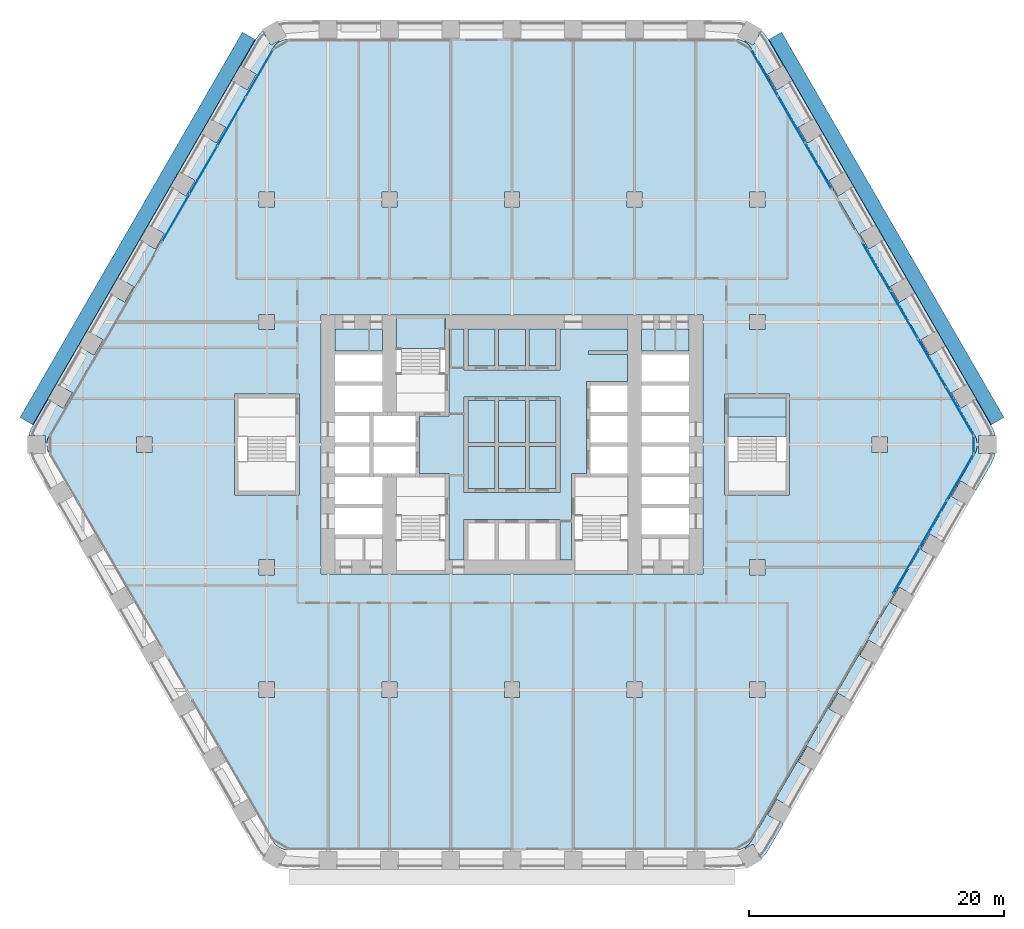
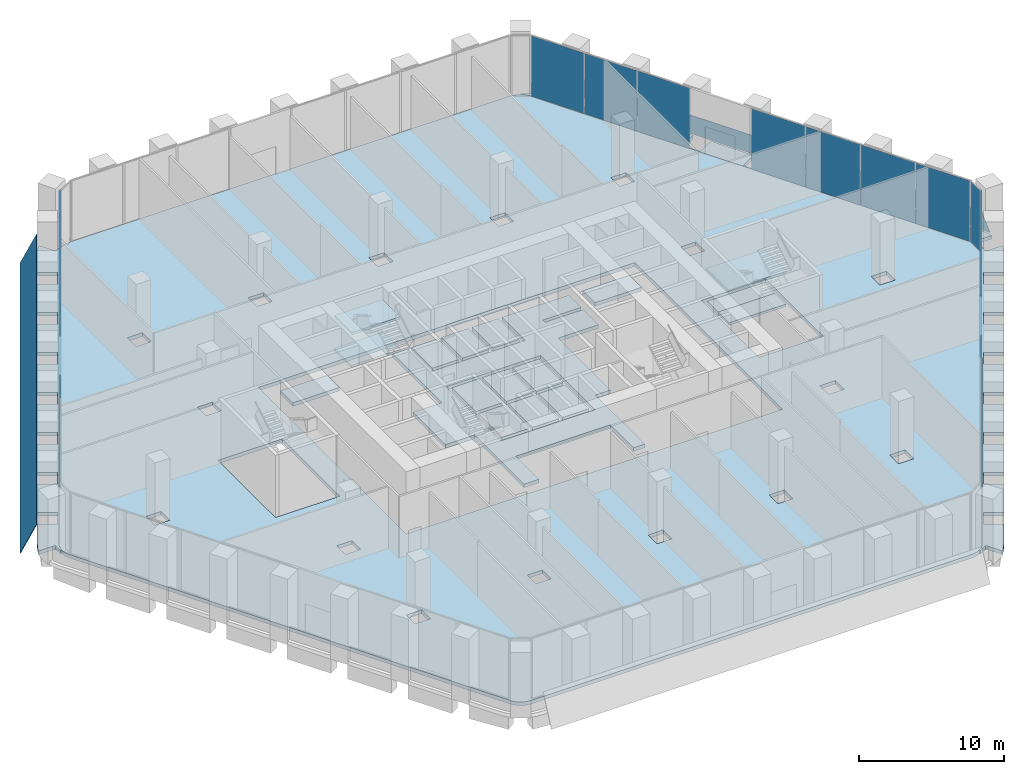
# One storey, part 16 of 27: 21 slabs, 17 plates, 7 elements without a shape of their own.
"""IFC4 building model written with IfcOpenShell, lengths in metres."""

from ifc_helpers import new_model, si_unit, direction, frame, origin, origin_2d, place, context, subcontext, project, spatial, polyline, rectangle, outline, extrude, material, layer, layer_set, type_object, element, aggregate, save


model = new_model("IFC4")

# Units and contexts
model_context = context("Model", 3, precision=1e-05, world=origin(), true_north=direction((0.0, 1.0)))
body_context = subcontext(model_context, "Body", "Model", "MODEL_VIEW")
ifc_project = project(units=[si_unit("LENGTHUNIT", "METRE"), si_unit("AREAUNIT", "SQUARE_METRE"), si_unit("VOLUMEUNIT", "CUBIC_METRE"), si_unit("PLANEANGLEUNIT", "RADIAN"), si_unit("MASSUNIT", "GRAM", prefix="KILO")], contexts=[model_context])

# Site, building, storey
site_placement = place(None, origin())
site = spatial("IfcSite", under=ifc_project, at=site_placement, CompositionType="ELEMENT")
building_placement = place(site_placement, origin())
building = spatial("IfcBuilding", under=site, at=building_placement, Name="Kolab Exchange Tower", CompositionType="ELEMENT")
storey_placement = place(building_placement, frame((0.0, 0.0, 66.39990234375)))
storey = spatial("IfcBuildingStorey", under=building, at=storey_placement, Name="L12", CompositionType="ELEMENT", Elevation=66.39990234375)

# Slabs
ifc_material_1 = material(Name="Concrete C35/45", Category="concrete")
ifc_layer_1 = layer(ifc_material_1, 0.300048828125)
ifc_layer_set_1 = layer_set([ifc_layer_1], Name="Concrete C35/45")
slab_type_1 = type_object("IfcSlabType", Name="FLOOR SLAB 300", PredefinedType="FLOOR", material=ifc_layer_set_1)
slab_1_placement = place(storey_placement, frame((0.0, 0.0, -0.2998046875)))
element("IfcSlab", 1, at=slab_1_placement, inside=storey, type_object=slab_type_1, Name="slab/L12/floor/0", PredefinedType="FLOOR", context=body_context, shape_type="SweptSolid", body=[
    extrude(outline(polyline([(18.76708984375, -31.00537109375), (36.23486328125, -0.75), (36.345458984375, -0.512939453125), (36.4130859375, -0.260498046875), (36.435791015625, 0.0), (36.4130859375, 0.260498046875), (36.345458984375, 0.512939453125), (36.23486328125, 0.75), (18.76708984375, 31.00537109375), (18.616943359375, 31.219482421875), (18.43212890625, 31.404541015625), (18.218017578125, 31.554443359375), (17.98095703125, 31.664794921875), (17.728515625, 31.732666015625), (17.468017578125, 31.75537109375), (-17.468017578125, 31.75537109375), (-17.728515625, 31.732666015625), (-17.98095703125, 31.664794921875), (-18.218017578125, 31.554443359375), (-18.43212890625, 31.404541015625), (-18.616943359375, 31.219482421875), (-18.76708984375, 31.00537109375), (-36.23486328125, 0.75), (-36.345458984375, 0.512939453125), (-36.4130859375, 0.260498046875), (-36.435791015625, 0.0), (-36.4130859375, -0.260498046875), (-36.345458984375, -0.512939453125), (-36.23486328125, -0.75), (-18.76708984375, -31.00537109375), (-18.616943359375, -31.219482421875), (-18.43212890625, -31.404541015625), (-18.218017578125, -31.554443359375), (-17.98095703125, -31.664794921875), (-17.728515625, -31.732666015625), (-17.468017578125, -31.75537109375), (17.468017578125, -31.75537109375), (17.728515625, -31.732666015625), (17.98095703125, -31.664794921875), (18.218017578125, -31.554443359375), (18.43212890625, -31.404541015625), (18.616943359375, -31.219482421875), (18.76708984375, -31.00537109375)]), holes=[polyline([(-19.800048828125, -18.60009765625), (-18.60009765625, -18.60009765625), (-18.60009765625, -19.800048828125), (-19.800048828125, -19.800048828125), (-19.800048828125, -18.60009765625)]), polyline([(-18.60009765625, -9.0), (-18.60009765625, -10.199951171875), (-19.800048828125, -10.199951171875), (-19.800048828125, -9.0), (-18.60009765625, -9.0)]), polyline([(-21.75, -3.949951171875), (-21.75, 3.949951171875), (-21.449951171875, 3.949951171875), (-16.949951171875, 3.949951171875), (-16.64990234375, 3.949951171875), (-16.64990234375, -3.949951171875), (-16.949951171875, -3.949951171875), (-21.449951171875, -3.949951171875), (-21.75, -3.949951171875)]), polyline([(-14.949951171875, 10.14990234375), (-13.85009765625, 10.14990234375), (-10.14990234375, 10.14990234375), (-9.050048828125, 10.14990234375), (-5.25, 10.14990234375), (9.050048828125, 10.14990234375), (10.14990234375, 10.14990234375), (13.85009765625, 10.14990234375), (14.949951171875, 10.14990234375), (14.949951171875, -10.14990234375), (13.85009765625, -10.14990234375), (10.14990234375, -10.14990234375), (9.050048828125, -10.14990234375), (4.949951171875, -10.14990234375), (-5.25, -10.14990234375), (-9.050048828125, -10.14990234375), (-10.14990234375, -10.14990234375), (-13.85009765625, -10.14990234375), (-14.949951171875, -10.14990234375), (-14.949951171875, 10.14990234375)]), polyline([(-28.199951171875, 0.60009765625), (-28.199951171875, -0.60009765625), (-29.39990234375, -0.60009765625), (-29.39990234375, 0.60009765625), (-28.199951171875, 0.60009765625)]), polyline([(-18.60009765625, 10.199951171875), (-18.60009765625, 9.0), (-19.800048828125, 9.0), (-19.800048828125, 10.199951171875), (-18.60009765625, 10.199951171875)]), polyline([(-19.800048828125, 19.800048828125), (-18.60009765625, 19.800048828125), (-18.60009765625, 18.60009765625), (-19.800048828125, 18.60009765625), (-19.800048828125, 19.800048828125)]), polyline([(-9.0, -18.60009765625), (-9.0, -19.800048828125), (-10.199951171875, -19.800048828125), (-10.199951171875, -18.60009765625), (-9.0, -18.60009765625)]), polyline([(-9.0, 19.800048828125), (-9.0, 18.60009765625), (-10.199951171875, 18.60009765625), (-10.199951171875, 19.800048828125), (-9.0, 19.800048828125)]), polyline([(0.60009765625, -18.60009765625), (0.60009765625, -19.800048828125), (-0.60009765625, -19.800048828125), (-0.60009765625, -18.60009765625), (0.60009765625, -18.60009765625)]), polyline([(0.60009765625, 19.800048828125), (0.60009765625, 18.60009765625), (-0.60009765625, 18.60009765625), (-0.60009765625, 19.800048828125), (0.60009765625, 19.800048828125)]), polyline([(10.199951171875, -18.60009765625), (10.199951171875, -19.800048828125), (9.0, -19.800048828125), (9.0, -18.60009765625), (10.199951171875, -18.60009765625)]), polyline([(9.0, 19.800048828125), (10.199951171875, 19.800048828125), (10.199951171875, 18.60009765625), (9.0, 18.60009765625), (9.0, 19.800048828125)]), polyline([(19.800048828125, -18.60009765625), (19.800048828125, -19.800048828125), (18.60009765625, -19.800048828125), (18.60009765625, -18.60009765625), (19.800048828125, -18.60009765625)]), polyline([(19.800048828125, -9.0), (19.800048828125, -10.199951171875), (18.60009765625, -10.199951171875), (18.60009765625, -9.0), (19.800048828125, -9.0)]), polyline([(16.949951171875, -3.949951171875), (16.64990234375, -3.949951171875), (16.64990234375, 3.949951171875), (16.949951171875, 3.949951171875), (21.449951171875, 3.949951171875), (21.75, 3.949951171875), (21.75, -3.949951171875), (21.449951171875, -3.949951171875), (16.949951171875, -3.949951171875)]), polyline([(29.39990234375, 0.60009765625), (29.39990234375, -0.60009765625), (28.199951171875, -0.60009765625), (28.199951171875, 0.60009765625), (29.39990234375, 0.60009765625)]), polyline([(18.60009765625, 10.199951171875), (19.800048828125, 10.199951171875), (19.800048828125, 9.0), (18.60009765625, 9.0), (18.60009765625, 10.199951171875)]), polyline([(18.60009765625, 19.800048828125), (19.800048828125, 19.800048828125), (19.800048828125, 18.60009765625), (18.60009765625, 18.60009765625), (18.60009765625, 19.800048828125)])]), origin(), (0.0, 0.0, 1.0), 0.2998046875),
])
slab_2_placement = place(storey_placement, frame((0.0, 0.0, -0.2998046875)))
element("IfcSlab", 2, at=slab_2_placement, inside=storey, type_object=slab_type_1, Name="slab/L12/floor/1", PredefinedType="FLOOR", context=body_context, shape_type="SweptSolid", body=[
    extrude(outline(polyline([(-5.25, 2.25), (-7.25, 2.25), (-7.25, -2.25), (-5.25, -2.25), (-4.949951171875, -2.25), (-4.949951171875, -9.050048828125), (-3.75, -9.050048828125), (-3.75, -5.85009765625), (-3.449951171875, -5.85009765625), (-1.35009765625, -5.85009765625), (-1.050048828125, -5.85009765625), (1.050048828125, -5.85009765625), (1.35009765625, -5.85009765625), (3.449951171875, -5.85009765625), (3.75, -5.85009765625), (3.75, -9.050048828125), (4.64990234375, -9.050048828125), (4.64990234375, -2.25), (4.949951171875, -2.25), (5.85009765625, -2.25), (5.85009765625, 4.949951171875), (6.14990234375, 4.949951171875), (9.050048828125, 4.949951171875), (9.050048828125, 7.050048828125), (6.0, 7.050048828125), (6.0, 7.35009765625), (9.050048828125, 7.35009765625), (9.050048828125, 9.050048828125), (3.75, 9.050048828125), (3.75, 5.85009765625), (3.449951171875, 5.85009765625), (1.35009765625, 5.85009765625), (1.050048828125, 5.85009765625), (-1.050048828125, 5.85009765625), (-1.35009765625, 5.85009765625), (-3.449951171875, 5.85009765625), (-3.75, 5.85009765625), (-3.75, 9.050048828125), (-4.949951171875, 9.050048828125), (-4.949951171875, 2.25), (-5.25, 2.25)]), holes=[polyline([(-1.35009765625, 3.75), (-1.050048828125, 3.75), (1.050048828125, 3.75), (1.35009765625, 3.75), (3.449951171875, 3.75), (3.75, 3.75), (3.75, -3.75), (3.449951171875, -3.75), (1.35009765625, -3.75), (1.050048828125, -3.75), (-1.050048828125, -3.75), (-1.35009765625, -3.75), (-3.449951171875, -3.75), (-3.75, -3.75), (-3.75, 3.75), (-3.449951171875, 3.75), (-1.35009765625, 3.75)])]), origin(), (0.0, 0.0, 1.0), 0.2998046875),
])
slab_3_placement = place(storey_placement, frame((0.0, 0.0, -0.2998046875)))
element("IfcSlab", 3, at=slab_3_placement, inside=storey, type_object=slab_type_1, Name="slab/L12/floor/2", PredefinedType="FLOOR", context=body_context, shape_type="SweptSolid", body=[
    extrude(outline(polyline([(-3.449951171875, -3.449951171875), (-1.35009765625, -3.449951171875), (-1.35009765625, -0.14990234375), (-3.449951171875, -0.14990234375), (-3.449951171875, -3.449951171875)])), origin(), (0.0, 0.0, 1.0), 0.2998046875),
])
slab_4_placement = place(storey_placement, frame((0.0, 0.0, -0.2998046875)))
element("IfcSlab", 4, at=slab_4_placement, inside=storey, type_object=slab_type_1, Name="slab/L12/floor/3", PredefinedType="FLOOR", context=body_context, shape_type="SweptSolid", body=[
    extrude(outline(polyline([(-1.35009765625, 0.14990234375), (-1.35009765625, 3.449951171875), (-3.449951171875, 3.449951171875), (-3.449951171875, 0.14990234375), (-1.35009765625, 0.14990234375)])), origin(), (0.0, 0.0, 1.0), 0.2998046875),
])
slab_5_placement = place(storey_placement, frame((0.0, 0.0, -0.2998046875)))
element("IfcSlab", 5, at=slab_5_placement, inside=storey, type_object=slab_type_1, Name="slab/L12/floor/4", PredefinedType="FLOOR", context=body_context, shape_type="SweptSolid", body=[
    extrude(outline(polyline([(-1.050048828125, -0.14990234375), (-1.050048828125, -3.449951171875), (1.050048828125, -3.449951171875), (1.050048828125, -0.14990234375), (-1.050048828125, -0.14990234375)])), origin(), (0.0, 0.0, 1.0), 0.2998046875),
])
slab_6_placement = place(storey_placement, frame((0.0, 0.0, -0.2998046875)))
element("IfcSlab", 6, at=slab_6_placement, inside=storey, type_object=slab_type_1, Name="slab/L12/floor/5", PredefinedType="FLOOR", context=body_context, shape_type="SweptSolid", body=[
    extrude(outline(polyline([(-1.050048828125, 3.449951171875), (-1.050048828125, 0.14990234375), (1.050048828125, 0.14990234375), (1.050048828125, 3.449951171875), (-1.050048828125, 3.449951171875)])), origin(), (0.0, 0.0, 1.0), 0.2998046875),
])
slab_7_placement = place(storey_placement, frame((0.0, 0.0, -0.2998046875)))
element("IfcSlab", 7, at=slab_7_placement, inside=storey, type_object=slab_type_1, Name="slab/L12/floor/6", PredefinedType="FLOOR", context=body_context, shape_type="SweptSolid", body=[
    extrude(outline(polyline([(1.35009765625, -3.449951171875), (3.449951171875, -3.449951171875), (3.449951171875, -0.14990234375), (1.35009765625, -0.14990234375), (1.35009765625, -3.449951171875)])), origin(), (0.0, 0.0, 1.0), 0.2998046875),
])
slab_8_placement = place(storey_placement, frame((0.0, 0.0, -0.2998046875)))
element("IfcSlab", 8, at=slab_8_placement, inside=storey, type_object=slab_type_1, Name="slab/L12/floor/7", PredefinedType="FLOOR", context=body_context, shape_type="SweptSolid", body=[
    extrude(outline(polyline([(1.35009765625, 0.14990234375), (3.449951171875, 0.14990234375), (3.449951171875, 3.449951171875), (1.35009765625, 3.449951171875), (1.35009765625, 0.14990234375)])), origin(), (0.0, 0.0, 1.0), 0.2998046875),
])
slab_9_placement = place(storey_placement, frame((0.0, 0.0, -0.2998046875)))
element("IfcSlab", 9, at=slab_9_placement, inside=storey, type_object=slab_type_1, Name="slab/L12/floor/9", PredefinedType="FLOOR", context=body_context, shape_type="SweptSolid", body=[
    extrude(outline(polyline([(21.449951171875, 3.64990234375), (16.949951171875, 3.64990234375), (16.949951171875, 2.14990234375), (21.449951171875, 2.14990234375), (21.449951171875, 3.64990234375)])), origin(), (0.0, 0.0, 1.0), 0.2998046875),
])
slab_10_placement = place(storey_placement, frame((0.0, 0.0, -0.2998046875)))
element("IfcSlab", 10, at=slab_10_placement, inside=storey, type_object=slab_type_1, Name="slab/L12/floor/11", PredefinedType="FLOOR", context=body_context, shape_type="SweptSolid", body=[
    extrude(outline(polyline([(-13.85009765625, 7.35009765625), (-10.14990234375, 7.35009765625), (-10.14990234375, 9.050048828125), (-13.85009765625, 9.050048828125), (-13.85009765625, 7.35009765625)])), origin(), (0.0, 0.0, 1.0), 0.2998046875),
])
slab_11_placement = place(storey_placement, frame((0.0, 0.0, -0.2998046875)))
element("IfcSlab", 11, at=slab_11_placement, inside=storey, type_object=slab_type_1, Name="slab/L12/floor/13", PredefinedType="FLOOR", context=body_context, shape_type="SweptSolid", body=[
    extrude(outline(polyline([(10.14990234375, 7.35009765625), (13.85009765625, 7.35009765625), (13.85009765625, 9.050048828125), (10.14990234375, 9.050048828125), (10.14990234375, 7.35009765625)])), origin(), (0.0, 0.0, 1.0), 0.2998046875),
])
slab_12_placement = place(storey_placement, frame((0.0, 0.0, -0.2998046875)))
element("IfcSlab", 12, at=slab_12_placement, inside=storey, type_object=slab_type_1, Name="slab/L12/floor/16", PredefinedType="FLOOR", context=body_context, shape_type="SweptSolid", body=[
    extrude(outline(polyline([(-1.050048828125, 9.050048828125), (-1.050048828125, 6.14990234375), (1.050048828125, 6.14990234375), (1.050048828125, 9.050048828125), (-1.050048828125, 9.050048828125)])), origin(), (0.0, 0.0, 1.0), 0.2998046875),
])
slab_13_placement = place(storey_placement, frame((0.0, 0.0, -0.2998046875)))
element("IfcSlab", 13, at=slab_13_placement, inside=storey, type_object=slab_type_1, Name="slab/L12/floor/18", PredefinedType="FLOOR", context=body_context, shape_type="SweptSolid", body=[
    extrude(outline(polyline([(-1.35009765625, 6.14990234375), (-1.35009765625, 9.050048828125), (-3.449951171875, 9.050048828125), (-3.449951171875, 6.14990234375), (-1.35009765625, 6.14990234375)])), origin(), (0.0, 0.0, 1.0), 0.2998046875),
])
slab_14_placement = place(storey_placement, frame((0.0, 0.0, -0.2998046875)))
element("IfcSlab", 14, at=slab_14_placement, inside=storey, type_object=slab_type_1, Name="slab/L12/floor/20", PredefinedType="FLOOR", context=body_context, shape_type="SweptSolid", body=[
    extrude(outline(polyline([(1.35009765625, 6.14990234375), (3.449951171875, 6.14990234375), (3.449951171875, 9.050048828125), (1.35009765625, 9.050048828125), (1.35009765625, 6.14990234375)])), origin(), (0.0, 0.0, 1.0), 0.2998046875),
])
ifc_layer_2 = layer(ifc_material_1, 0.300048828125)
ifc_layer_set_2 = layer_set([ifc_layer_2], Name="Concrete C35/45")
slab_type_2 = type_object("IfcSlabType", Name="LOGGIA SLAB 300", PredefinedType="FLOOR", material=ifc_layer_set_2)
slab_15_placement = place(storey_placement, frame((0.0, 0.0, -0.2998046875)))
element("IfcSlab", 15, at=slab_15_placement, inside=storey, type_object=slab_type_2, Name="slab/L12/loggia/1-0", PredefinedType="FLOOR", context=body_context, shape_type="SweptSolid", body=[
    extrude(outline(polyline([(36.435791015625, 0.0), (36.535888671875, 0.0), (36.535888671875, 0.699951171875), (37.84228515625, 0.699951171875), (37.7548828125, 1.026123046875), (37.533935546875, 1.5), (36.35009765625, 3.55078125), (35.137451171875, 2.8505859375), (34.4375, 4.063232421875), (35.64990234375, 4.76318359375), (33.949951171875, 7.70751953125), (32.737548828125, 7.007568359375), (32.03759765625, 8.219970703125), (33.25, 8.920166015625), (31.550048828125, 11.864501953125), (30.337646484375, 11.16455078125), (29.637451171875, 12.376953125), (30.85009765625, 13.076904296875), (29.14990234375, 16.021484375), (27.9375, 15.321533203125), (27.237548828125, 16.533935546875), (28.449951171875, 17.23388671875), (26.75, 20.178466796875), (25.53759765625, 19.478271484375), (24.837646484375, 20.69091796875), (26.050048828125, 21.390869140625), (24.35009765625, 24.335205078125), (23.137451171875, 23.63525390625), (22.4375, 24.84765625), (23.64990234375, 25.5478515625), (21.949951171875, 28.4921875), (20.737548828125, 27.792236328125), (20.03759765625, 29.004638671875), (21.25, 29.70458984375), (20.06591796875, 31.75537109375), (19.76611328125, 32.183837890625), (19.52734375, 32.42236328125), (18.874267578125, 31.291015625), (18.26806640625, 31.64111328125), (18.218017578125, 31.554443359375), (18.43212890625, 31.404541015625), (18.616943359375, 31.219482421875), (18.76708984375, 31.00537109375), (36.23486328125, 0.75), (36.345458984375, 0.512939453125), (36.4130859375, 0.260498046875), (36.435791015625, 0.0)])), origin(), (0.0, 0.0, 1.0), 0.2998046875),
])
slab_16_placement = place(storey_placement, frame((0.0, 0.0, -0.2998046875)))
element("IfcSlab", 16, at=slab_16_placement, inside=storey, type_object=slab_type_2, Name="slab/L12/loggia/2-0", PredefinedType="FLOOR", context=body_context, shape_type="SweptSolid", body=[
    extrude(outline(polyline([(20.06591796875, -31.75537109375), (21.25, -29.70458984375), (20.03759765625, -29.004638671875), (20.737548828125, -27.792236328125), (21.949951171875, -28.4921875), (23.64990234375, -25.5478515625), (22.4375, -24.84765625), (23.137451171875, -23.63525390625), (24.35009765625, -24.335205078125), (26.050048828125, -21.390869140625), (24.837646484375, -20.69091796875), (25.53759765625, -19.478271484375), (26.75, -20.178466796875), (28.449951171875, -17.23388671875), (27.237548828125, -16.533935546875), (27.9375, -15.321533203125), (29.14990234375, -16.021484375), (30.85009765625, -13.076904296875), (29.637451171875, -12.376953125), (30.337646484375, -11.16455078125), (31.550048828125, -11.864501953125), (33.25, -8.920166015625), (32.03759765625, -8.219970703125), (32.737548828125, -7.007568359375), (33.949951171875, -7.70751953125), (35.64990234375, -4.76318359375), (34.4375, -4.063232421875), (35.137451171875, -2.8505859375), (36.35009765625, -3.55078125), (37.533935546875, -1.5), (37.7548828125, -1.026123046875), (37.84228515625, -0.699951171875), (36.535888671875, -0.699951171875), (36.535888671875, 0.0), (36.435791015625, 0.0), (36.4130859375, -0.260498046875), (36.345458984375, -0.512939453125), (36.23486328125, -0.75), (18.76708984375, -31.00537109375), (18.616943359375, -31.219482421875), (18.43212890625, -31.404541015625), (18.218017578125, -31.554443359375), (18.26806640625, -31.64111328125), (18.874267578125, -31.291015625), (19.52734375, -32.42236328125), (19.76611328125, -32.183837890625), (20.06591796875, -31.75537109375)])), origin(), (0.0, 0.0, 1.0), 0.2998046875),
])
slab_17_placement = place(storey_placement, frame((0.0, 0.0, -0.2998046875)))
element("IfcSlab", 17, at=slab_17_placement, inside=storey, type_object=slab_type_2, Name="slab/L12/loggia/5-0", PredefinedType="FLOOR", context=body_context, shape_type="SweptSolid", body=[
    extrude(outline(polyline([(-18.218017578125, 31.554443359375), (-18.26806640625, 31.64111328125), (-18.874267578125, 31.291015625), (-19.52734375, 32.42236328125), (-19.76611328125, 32.183837890625), (-20.06591796875, 31.75537109375), (-21.25, 29.70458984375), (-20.03759765625, 29.004638671875), (-20.737548828125, 27.792236328125), (-21.949951171875, 28.4921875), (-23.64990234375, 25.5478515625), (-22.4375, 24.84765625), (-23.137451171875, 23.63525390625), (-24.35009765625, 24.335205078125), (-26.050048828125, 21.390869140625), (-24.837646484375, 20.69091796875), (-25.53759765625, 19.478271484375), (-26.75, 20.178466796875), (-28.449951171875, 17.23388671875), (-27.237548828125, 16.533935546875), (-27.9375, 15.321533203125), (-29.14990234375, 16.021484375), (-30.85009765625, 13.076904296875), (-29.637451171875, 12.376953125), (-30.337646484375, 11.16455078125), (-31.550048828125, 11.864501953125), (-33.25, 8.920166015625), (-32.03759765625, 8.219970703125), (-32.737548828125, 7.007568359375), (-33.949951171875, 7.70751953125), (-35.64990234375, 4.76318359375), (-34.4375, 4.063232421875), (-35.137451171875, 2.8505859375), (-36.35009765625, 3.55078125), (-37.533935546875, 1.5), (-37.7548828125, 1.026123046875), (-37.84228515625, 0.699951171875), (-36.535888671875, 0.699951171875), (-36.535888671875, 0.0), (-36.435791015625, 0.0), (-36.4130859375, 0.260498046875), (-36.345458984375, 0.512939453125), (-36.23486328125, 0.75), (-18.76708984375, 31.00537109375), (-18.616943359375, 31.219482421875), (-18.43212890625, 31.404541015625), (-18.218017578125, 31.554443359375)])), origin(), (0.0, 0.0, 1.0), 0.2998046875),
])

# Plates
ifc_material_2 = material(Name="Laminated glass, clear", Category="glass")
ifc_layer_3 = layer(ifc_material_2, 0.0400390625)
ifc_layer_set_3 = layer_set([ifc_layer_3], Name="Laminated glass, clear")
plate_type_1 = type_object("IfcPlateType", Name="OUTER SKIN LAMINATED GLASS SHEET 40", PredefinedType="SHEET", material=ifc_layer_set_3)
plate_1_placement = place(storey_placement, frame((21.11279296875, 32.302001953125, -0.8330078125), z_axis=(0.784872769673, 0.453148092024, 0.422648248689), x_axis=(0.500001313459, -0.866024645457, 0.0)))
element("IfcPlate", 18, at=plate_1_placement, inside=storey, type_object=plate_type_1, Name="Outer skin", PredefinedType="SHEET", context=body_context, shape_type="SweptSolid", body=[
    extrude(outline(polyline([(0.0, 0.0), (34.83584598906518, 0.0), (34.83577870170086, -2.7059575705201855), (-6.728736431932392e-05, -2.705957570520185), (0.0, 0.0)])), origin(), (0.0, 0.0, -1.0), 0.0400390625),
])
plate_2_placement = place(storey_placement, frame((-38.53076171875, 2.13330078125, -0.8330078125), z_axis=(-0.784872769673, 0.453148092024, 0.422648248689), x_axis=(0.500001313459, 0.866024645457, 0.0)))
element("IfcPlate", 19, at=plate_2_placement, inside=storey, type_object=plate_type_1, Name="Outer skin", PredefinedType="SHEET", context=body_context, shape_type="SweptSolid", body=[
    extrude(outline(polyline([(0.0, 0.0), (34.83584598906518, 0.0), (34.8359132764295, -2.7059575705201846), (6.728736431932392e-05, -2.705957570520185), (0.0, 0.0)])), origin(), (0.0, 0.0, -1.0), 0.0400390625),
])

# Stair, slabs
ifc_material_3 = material(Name="Concrete C50/60", Category="concrete")
stair_type_1 = type_object("IfcStairType", Name="STAIR ST1 RISER 171.9", PredefinedType="DOUBLE_RETURN_STAIR", material=ifc_material_3)
stair_1_placement = place(storey_placement, origin())
stair_1 = element("IfcStair", 20, at=stair_1_placement, inside=storey, type_object=stair_type_1, Name="Stair 1", PredefinedType="DOUBLE_RETURN_STAIR")
ifc_layer_4 = layer(ifc_material_3, 0.199951171875)
ifc_layer_set_4 = layer_set([ifc_layer_4], Name="Concrete C50/60")
slab_type_3 = type_object("IfcSlabType", Name="STAIR LANDING 200", PredefinedType="LANDING", material=ifc_layer_set_4)
slab_18_placement = place(storey_placement, frame((0.0, 0.0, 1.175048828125)))
slab_18 = element("IfcSlab", 21, at=slab_18_placement, type_object=slab_type_3, Name="ST1 landing 2", PredefinedType="LANDING", context=body_context, shape_type="SweptSolid", body=[
    extrude(outline(polyline([(-9.110107421875, 7.510009765625), (-5.18994140625, 7.510009765625), (-5.18994140625, 9.909912109375), (-9.110107421875, 9.909912109375), (-9.110107421875, 7.510009765625)])), origin(), (0.0, 0.0, 1.0), 0.199951171875),
])
slab_19_placement = place(storey_placement, frame((0.0, 0.0, 3.925048828125)))
slab_19 = element("IfcSlab", 22, at=slab_19_placement, type_object=slab_type_3, Name="ST1 landing 4", PredefinedType="LANDING", context=body_context, shape_type="SweptSolid", body=[
    extrude(outline(polyline([(-9.050048828125, 7.510009765625), (-5.25, 7.510009765625), (-5.25, 9.909912109375), (-9.050048828125, 9.909912109375), (-9.050048828125, 7.510009765625)])), origin(), (0.0, 0.0, 1.0), 0.199951171875),
])
aggregate(stair_1, [slab_18, slab_19])

stair_type_2 = type_object("IfcStairType", Name="STAIR ST4 RISER 171.9", PredefinedType="DOUBLE_RETURN_STAIR", material=ifc_material_3)
stair_2_placement = place(storey_placement, origin())
stair_2 = element("IfcStair", 23, at=stair_2_placement, inside=storey, type_object=stair_type_2, Name="Stair 4", PredefinedType="DOUBLE_RETURN_STAIR")
slab_20_placement = place(storey_placement, frame((0.0, 0.0, -0.199951171875)))
slab_20 = element("IfcSlab", 24, at=slab_20_placement, type_object=slab_type_3, Name="ST4 landing 1", PredefinedType="LANDING", context=body_context, shape_type="SweptSolid", body=[
    extrude(outline(polyline([(16.949951171875, 0.64990234375), (21.449951171875, 0.64990234375), (21.449951171875, 2.14990234375), (16.949951171875, 2.14990234375), (16.949951171875, 0.64990234375)])), origin(), (0.0, 0.0, 1.0), 0.199951171875),
])
slab_21_placement = place(storey_placement, frame((0.0, 0.0, 2.550048828125)))
slab_21 = element("IfcSlab", 25, at=slab_21_placement, type_object=slab_type_3, Name="ST4 landing 3", PredefinedType="LANDING", context=body_context, shape_type="SweptSolid", body=[
    extrude(outline(polyline([(16.889892578125, 0.64990234375), (21.510009765625, 0.64990234375), (21.510009765625, 3.7099609375), (16.889892578125, 3.7099609375), (16.889892578125, 0.64990234375)])), origin(), (0.0, 0.0, 1.0), 0.199951171875),
])
aggregate(stair_2, [slab_20, slab_21])

# Curtain wall, plates
ifc_material_4 = material(Name="Aluminium EN AW-6063 T6", Category="aluminium")
curtain_wall_type = type_object("IfcCurtainWallType", Name="UNITISED LOW ZONE CURTAIN WALL", PredefinedType="NOTDEFINED", material=ifc_material_4)
curtain_wall_1_placement = place(storey_placement, origin())
curtain_wall_1 = element("IfcCurtainWall", 26, at=curtain_wall_1_placement, inside=storey, type_object=curtain_wall_type, Name="cw/L12/F2-1", PredefinedType="NOTDEFINED")
ifc_material_5 = material(Name="Clear insulated glazing unit", Category="glass")
ifc_layer_5 = layer(ifc_material_5, 0.02392578125)
ifc_layer_set_5 = layer_set([ifc_layer_5], Name="Clear insulated glazing unit")
plate_type_2 = type_object("IfcPlateType", Name="UNITISED LOW ZONE GLASS PANEL 24", PredefinedType="CURTAIN_PANEL", material=ifc_layer_set_5)
plate_3_placement = place(storey_placement, frame((19.760986328125, 29.1240234375, 0.06005859375), z_axis=(0.0, 0.0, 1.0), x_axis=(0.500000017564, -0.866025393644, 0.0)))
plate_3 = element("IfcPlate", 27, at=plate_3_placement, type_object=plate_type_2, Name="CW1 panel 1.1", PredefinedType="CURTAIN_PANEL", context=body_context, shape_type="SweptSolid", body=[
    extrude(rectangle(XDim=4.132568359375, YDim=0.02392578125, at=origin_2d()), origin(), (0.0, 0.0, 1.0), 5.080078125),
])
plate_4_placement = place(storey_placement, frame((21.86474609375, 25.47998046875, 0.06005859375), z_axis=(0.0, 0.0, 1.0), x_axis=(0.500000017564, -0.866025393644, 0.0)))
plate_4 = element("IfcPlate", 28, at=plate_4_placement, type_object=plate_type_2, Name="CW1 panel 2.1", PredefinedType="CURTAIN_PANEL", context=body_context, shape_type="SweptSolid", body=[
    extrude(rectangle(XDim=4.16259765625, YDim=0.02392578125, at=origin_2d()), origin(), (0.0, 0.0, 1.0), 5.080078125),
])
plate_5_placement = place(storey_placement, frame((23.968505859375, 21.836181640625, 0.06005859375), z_axis=(0.0, 0.0, 1.0), x_axis=(0.500000017564, -0.866025393644, 0.0)))
plate_5 = element("IfcPlate", 29, at=plate_5_placement, type_object=plate_type_2, Name="CW1 panel 3.1", PredefinedType="CURTAIN_PANEL", context=body_context, shape_type="SweptSolid", body=[
    extrude(rectangle(XDim=4.132568359375, YDim=0.02392578125, at=origin_2d()), origin(), (0.0, 0.0, 1.0), 5.080078125),
])
aggregate(curtain_wall_1, [plate_3, plate_4, plate_5])

curtain_wall_2_placement = place(storey_placement, origin())
curtain_wall_2 = element("IfcCurtainWall", 30, at=curtain_wall_2_placement, inside=storey, type_object=curtain_wall_type, Name="cw/L12/F2-2", PredefinedType="NOTDEFINED")
plate_6_placement = place(storey_placement, frame((28.531005859375, 13.933837890625, 0.06005859375), z_axis=(0.0, 0.0, 1.0), x_axis=(0.499999968274, -0.866025422102, 0.0)))
plate_6 = element("IfcPlate", 31, at=plate_6_placement, type_object=plate_type_2, Name="CW1 panel 1.1", PredefinedType="CURTAIN_PANEL", context=body_context, shape_type="SweptSolid", body=[
    extrude(rectangle(XDim=4.277099609375, YDim=0.02392578125, at=origin_2d()), origin(), (0.0, 0.0, 1.0), 5.080078125),
])
plate_7_placement = place(storey_placement, frame((30.70703125, 10.164794921875, 0.06005859375), z_axis=(0.0, 0.0, 1.0), x_axis=(0.499999968274, -0.866025422102, 0.0)))
plate_7 = element("IfcPlate", 32, at=plate_7_placement, type_object=plate_type_2, Name="CW1 panel 2.1", PredefinedType="CURTAIN_PANEL", context=body_context, shape_type="SweptSolid", body=[
    extrude(rectangle(XDim=4.306884765625, YDim=0.02392578125, at=origin_2d()), origin(), (0.0, 0.0, 1.0), 5.080078125),
])
plate_8_placement = place(storey_placement, frame((32.890380859375, 6.3828125, 0.06005859375), z_axis=(0.0, 0.0, 1.0), x_axis=(0.499999968274, -0.866025422102, 0.0)))
plate_8 = element("IfcPlate", 33, at=plate_8_placement, type_object=plate_type_2, Name="CW1 panel 3.1", PredefinedType="CURTAIN_PANEL", context=body_context, shape_type="SweptSolid", body=[
    extrude(rectangle(XDim=4.306884765625, YDim=0.02392578125, at=origin_2d()), origin(), (0.0, 0.0, 1.0), 5.080078125),
])
plate_9_placement = place(storey_placement, frame((35.06640625, 2.614013671875, 0.06005859375), z_axis=(0.0, 0.0, 1.0), x_axis=(0.499999968274, -0.866025422102, 0.0)))
plate_9 = element("IfcPlate", 34, at=plate_9_placement, type_object=plate_type_2, Name="CW1 panel 4.1", PredefinedType="CURTAIN_PANEL", context=body_context, shape_type="SweptSolid", body=[
    extrude(rectangle(XDim=4.277099609375, YDim=0.02392578125, at=origin_2d()), origin(), (0.0, 0.0, 1.0), 5.080078125),
])
aggregate(curtain_wall_2, [plate_6, plate_7, plate_8, plate_9])

curtain_wall_3_placement = place(storey_placement, origin())
curtain_wall_3 = element("IfcCurtainWall", 35, at=curtain_wall_3_placement, inside=storey, type_object=curtain_wall_type, Name="cw/L12/F3-1", PredefinedType="NOTDEFINED")
plate_10_placement = place(storey_placement, frame((35.1025390625, -2.551513671875, 0.06005859375), z_axis=(0.0, 0.0, 1.0), x_axis=(-0.499999958358, -0.866025427826, 0.0)))
plate_10 = element("IfcPlate", 36, at=plate_10_placement, type_object=plate_type_2, Name="CW1 panel 1.1", PredefinedType="CURTAIN_PANEL", context=body_context, shape_type="SweptSolid", body=[
    extrude(rectangle(XDim=4.132568359375, YDim=0.02392578125, at=origin_2d()), origin(), (0.0, 0.0, 1.0), 5.080078125),
])
plate_11_placement = place(storey_placement, frame((32.998779296875, -6.1953125, 0.06005859375), z_axis=(0.0, 0.0, 1.0), x_axis=(-0.499999958358, -0.866025427826, 0.0)))
plate_11 = element("IfcPlate", 37, at=plate_11_placement, type_object=plate_type_2, Name="CW1 panel 2.1", PredefinedType="CURTAIN_PANEL", context=body_context, shape_type="SweptSolid", body=[
    extrude(rectangle(XDim=4.16259765625, YDim=0.02392578125, at=origin_2d()), origin(), (0.0, 0.0, 1.0), 5.080078125),
])
plate_12_placement = place(storey_placement, frame((30.894775390625, -9.83935546875, 0.06005859375), z_axis=(0.0, 0.0, 1.0), x_axis=(-0.499999958358, -0.866025427826, 0.0)))
plate_12 = element("IfcPlate", 38, at=plate_12_placement, type_object=plate_type_2, Name="CW1 panel 3.1", PredefinedType="CURTAIN_PANEL", context=body_context, shape_type="SweptSolid", body=[
    extrude(rectangle(XDim=4.132568359375, YDim=0.02392578125, at=origin_2d()), origin(), (0.0, 0.0, 1.0), 5.080078125),
])
aggregate(curtain_wall_3, [plate_10, plate_11, plate_12])

curtain_wall_4_placement = place(storey_placement, origin())
curtain_wall_4 = element("IfcCurtainWall", 39, at=curtain_wall_4_placement, inside=storey, type_object=curtain_wall_type, Name="cw/L12/F6-2", PredefinedType="NOTDEFINED")
plate_13_placement = place(storey_placement, frame((-26.33251953125, 17.74169921875, 0.06005859375), z_axis=(0.0, 0.0, 1.0), x_axis=(0.5000000112, 0.866025397318, 0.0)))
plate_13 = element("IfcPlate", 40, at=plate_13_placement, type_object=plate_type_2, Name="CW1 panel 1.1", PredefinedType="CURTAIN_PANEL", context=body_context, shape_type="SweptSolid", body=[
    extrude(rectangle(XDim=4.277099609375, YDim=0.02392578125, at=origin_2d()), origin(), (0.0, 0.0, 1.0), 5.080078125),
])
plate_14_placement = place(storey_placement, frame((-24.156494140625, 21.510498046875, 0.06005859375), z_axis=(0.0, 0.0, 1.0), x_axis=(0.5000000112, 0.866025397318, 0.0)))
plate_14 = element("IfcPlate", 41, at=plate_14_placement, type_object=plate_type_2, Name="CW1 panel 2.1", PredefinedType="CURTAIN_PANEL", context=body_context, shape_type="SweptSolid", body=[
    extrude(rectangle(XDim=4.306884765625, YDim=0.02392578125, at=origin_2d()), origin(), (0.0, 0.0, 1.0), 5.080078125),
])
plate_15_placement = place(storey_placement, frame((-21.972900390625, 25.29248046875, 0.06005859375), z_axis=(0.0, 0.0, 1.0), x_axis=(0.5000000112, 0.866025397318, 0.0)))
plate_15 = element("IfcPlate", 42, at=plate_15_placement, type_object=plate_type_2, Name="CW1 panel 3.1", PredefinedType="CURTAIN_PANEL", context=body_context, shape_type="SweptSolid", body=[
    extrude(rectangle(XDim=4.306884765625, YDim=0.02392578125, at=origin_2d()), origin(), (0.0, 0.0, 1.0), 5.080078125),
])
plate_16_placement = place(storey_placement, frame((-19.796875, 29.0615234375, 0.06005859375), z_axis=(0.0, 0.0, 1.0), x_axis=(0.5000000112, 0.866025397318, 0.0)))
plate_16 = element("IfcPlate", 43, at=plate_16_placement, type_object=plate_type_2, Name="CW1 panel 4.1", PredefinedType="CURTAIN_PANEL", context=body_context, shape_type="SweptSolid", body=[
    extrude(rectangle(XDim=4.277099609375, YDim=0.02392578125, at=origin_2d()), origin(), (0.0, 0.0, 1.0), 5.080078125),
])
aggregate(curtain_wall_4, [plate_13, plate_14, plate_15, plate_16])

# Curtain wall, plate
curtain_wall_5_placement = place(storey_placement, origin())
curtain_wall_5 = element("IfcCurtainWall", 44, at=curtain_wall_5_placement, inside=storey, type_object=curtain_wall_type, Name="cw/L12/F2F3-corner", PredefinedType="NOTDEFINED")
plate_17_placement = place(storey_placement, frame((36.165771484375, 0.0, 0.06005859375), z_axis=(0.0, 0.0, 1.0), x_axis=(0.0, -1.0, 0.0)))
plate_17 = element("IfcPlate", 45, at=plate_17_placement, type_object=plate_type_2, Name="CW1 panel 1.1", PredefinedType="CURTAIN_PANEL", context=body_context, shape_type="SweptSolid", body=[
    extrude(rectangle(XDim=1.300048828125, YDim=0.02392578125, at=origin_2d()), origin(), (0.0, 0.0, 1.0), 5.080078125),
])
aggregate(curtain_wall_5, [plate_17])

save(model, "model.ifc")
